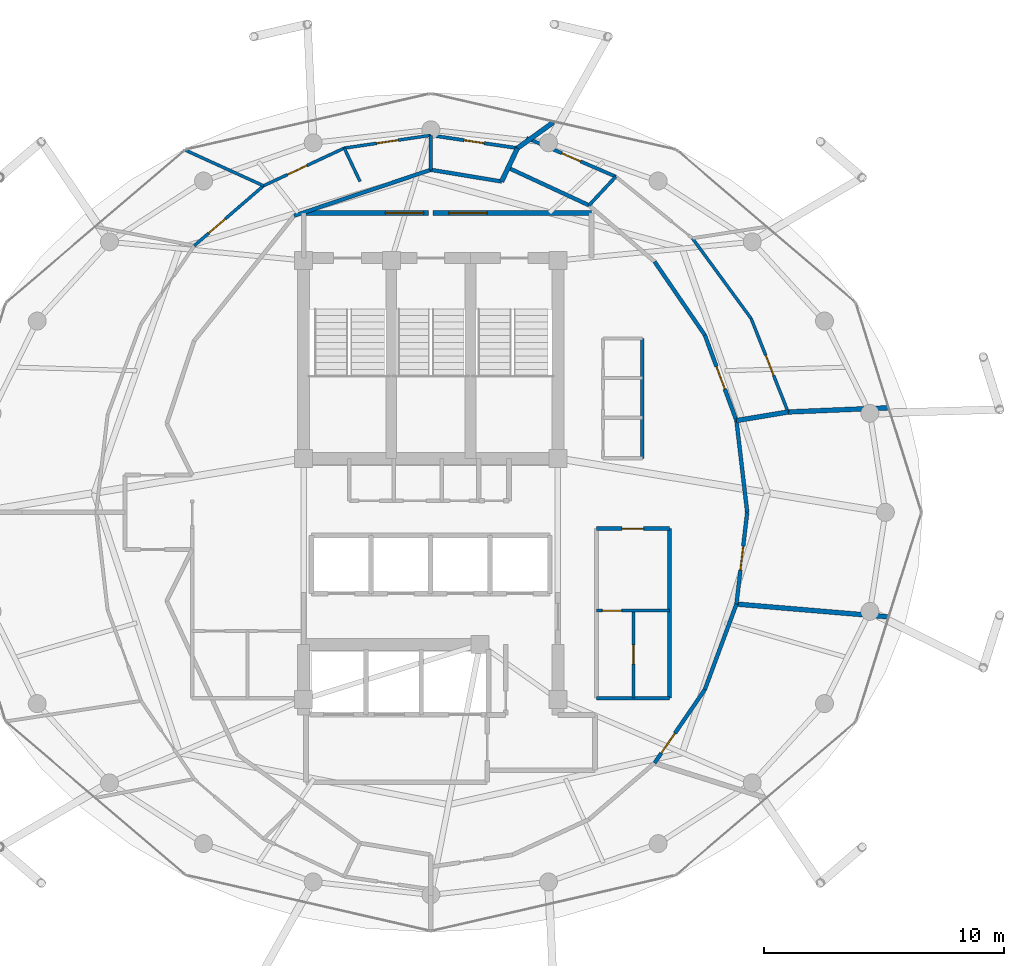
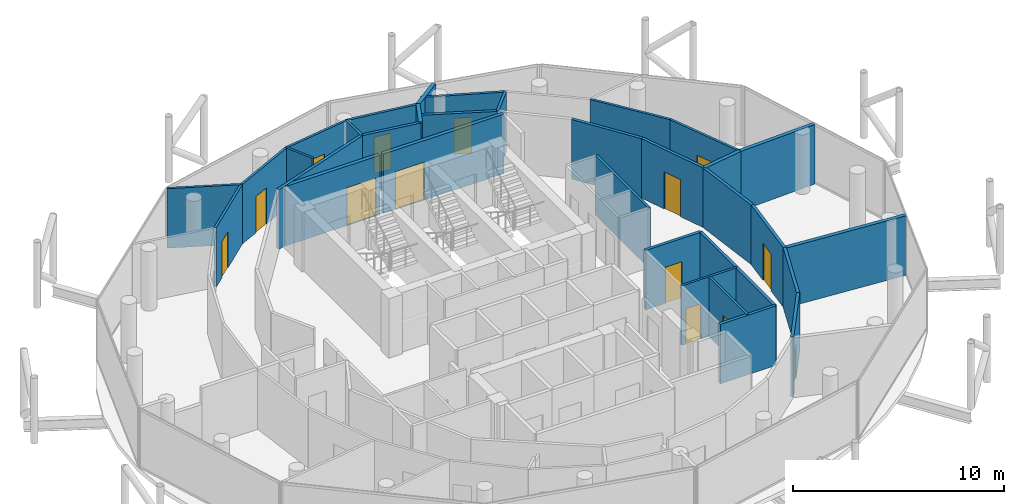
# One storey, part 22 of 24: 33 walls, 14 doors, 14 openings.
"""IFC4 building model written with IfcOpenShell, lengths in metres."""

import ifcopenshell
import ifcopenshell.guid

model = None  # the IFC model being written
_history = None  # IfcOwnerHistory: only IFC2X3 demands one
_inside = {}  # id of a spatial element -> (the spatial element, [elements in it])
_under = {}  # id of a project, library or spatial element -> (it, [spatial elements below it])
_declared = {}  # id of a project -> (the project, [libraries it declares])
_typed = {}  # id of a type object -> (the type object, [elements of that type])
_made_of = {}  # id of a material, layer set ... -> (it, [elements and type objects made of it])


def new_model(schema):
    """Start an empty IFC model of exactly this schema.

    Asked for "IFC4X3", IfcOpenShell would pick the latest addendum, in which some entities
    have other attributes; the version numbers below select the first issue.
    IFC2X3 requires an IfcOwnerHistory on every rooted entity: one is made here for all.
    """
    global model, _history
    if schema == "IFC4X3":
        model = ifcopenshell.file(schema_version=(4, 3, 0, 0))
    else:
        model = ifcopenshell.file(schema=schema)
    _inside.clear()
    _under.clear()
    _declared.clear()
    _typed.clear()
    _made_of.clear()
    _history = None
    if model.schema == "IFC2X3":
        org = make("IfcOrganization", Name="unknown")
        user = make(
            "IfcPersonAndOrganization",
            ThePerson=make("IfcPerson", FamilyName="unknown"),
            TheOrganization=org,
        )
        app = make(
            "IfcApplication",
            ApplicationDeveloper=org,
            Version="unknown",
            ApplicationFullName="unknown",
            ApplicationIdentifier="unknown",
        )
        _history = make(
            "IfcOwnerHistory",
            OwningUser=user,
            OwningApplication=app,
            ChangeAction="ADDED",
            CreationDate=0,
        )
    return model


def make(cls, **values):
    """One entity of the class cls with the attributes given. An attribute that is None is left unset."""
    return model.create_entity(
        cls, **{name: value for name, value in values.items() if value is not None}
    )


def rooted(cls, **values):
    """An entity with a GlobalId (a new one), such as an element, a storey or a relation."""
    return make(cls, GlobalId=ifcopenshell.guid.new(), OwnerHistory=_history, **values)


def si_unit(unit_type, name, prefix=None):
    """IfcSIUnit, for example si_unit("LENGTHUNIT", "METRE", prefix="MILLI")."""
    return make("IfcSIUnit", UnitType=unit_type, Prefix=prefix, Name=name)


def assignment(units):
    """IfcUnitAssignment: the units of a project."""
    return None if units is None else make("IfcUnitAssignment", Units=units)


def point(xyz):
    """IfcCartesianPoint."""
    return None if xyz is None else make("IfcCartesianPoint", Coordinates=xyz)


def direction(xyz):
    """IfcDirection."""
    return None if xyz is None else make("IfcDirection", DirectionRatios=xyz)


def frame(location, z_axis=None, x_axis=None):
    """IfcAxis2Placement3D, a coordinate frame: its origin and axes. An axis left out is left unset."""
    return make(
        "IfcAxis2Placement3D",
        Location=point(location),
        Axis=direction(z_axis),
        RefDirection=direction(x_axis),
    )


def frame_2d(location, x_axis=None):
    """IfcAxis2Placement2D, a coordinate frame in the plane: its origin and x axis."""
    return make(
        "IfcAxis2Placement2D", Location=point(location), RefDirection=direction(x_axis)
    )


def origin():
    """The frame at (0, 0, 0) with its axes left unset."""
    return frame((0.0, 0.0, 0.0))


def place(relative_to, where):
    """IfcLocalPlacement: puts the frame where relative to a parent placement (None: the world)."""
    return make(
        "IfcLocalPlacement", PlacementRelTo=relative_to, RelativePlacement=where
    )


def context(
    kind, dimensions, precision=None, world=None, true_north=None, identifier=None
):
    """IfcGeometricRepresentationContext, for example the 3D "Model" context."""
    return make(
        "IfcGeometricRepresentationContext",
        ContextIdentifier=identifier,
        ContextType=kind,
        CoordinateSpaceDimension=dimensions,
        Precision=precision,
        WorldCoordinateSystem=world,
        TrueNorth=true_north,
    )


def subcontext(parent, identifier, kind, view, scale=None):
    """IfcGeometricRepresentationSubContext, for example "Body" below "Model"."""
    return make(
        "IfcGeometricRepresentationSubContext",
        ContextIdentifier=identifier,
        ContextType=kind,
        ParentContext=parent,
        TargetScale=scale,
        TargetView=view,
    )


def project(units=None, contexts=None):
    """IfcProject with its units and contexts."""
    return rooted(
        "IfcProject",
        Name="project",
        RepresentationContexts=contexts,
        UnitsInContext=assignment(units),
    )


def spatial(cls, under=None, at=None, **own):
    """A site, building, storey or space (cls), placed at a placement, below another one or the project."""
    s = rooted(cls, ObjectPlacement=at, **own)
    if under is not None:
        _under.setdefault(under.id(), (under, []))[1].append(s)
    return s


def profile(cls, at=None, kind="AREA", **sizes):
    """A parametric profile (cls). Its sizes go by their IFC names, for example OverallWidth=200.0."""
    return make(cls, ProfileType=kind, Position=at, **sizes)


def rectangle(**sizes):
    """IfcRectangleProfileDef."""
    return profile("IfcRectangleProfileDef", **sizes)


def extrude(swept, where, along, depth):
    """IfcExtrudedAreaSolid: the profile swept, set in the frame where, extruded along a direction by depth."""
    return make(
        "IfcExtrudedAreaSolid",
        SweptArea=swept,
        Position=where,
        ExtrudedDirection=direction(along),
        Depth=depth,
    )


def shape(context_of_items, identifier, shape_type, items):
    """IfcShapeRepresentation: the items that make up one representation, for example the "Body"."""
    return make(
        "IfcShapeRepresentation",
        ContextOfItems=context_of_items,
        RepresentationIdentifier=identifier,
        RepresentationType=shape_type,
        Items=items,
    )


def material(Name=None, Category=None):
    """IfcMaterial."""
    return make("IfcMaterial", Name=Name, Category=Category)


def layer(
    of_material, thickness, ventilated=None, Name=None, Category=None, Priority=None
):
    """IfcMaterialLayer: one layer of a wall or slab, of a material (None: an air gap)."""
    return make(
        "IfcMaterialLayer",
        Material=of_material,
        LayerThickness=thickness,
        IsVentilated=ventilated,
        Name=Name,
        Category=Category,
        Priority=Priority,
    )


def layer_set(layers, Name=None):
    """IfcMaterialLayerSet."""
    return make("IfcMaterialLayerSet", MaterialLayers=layers, LayerSetName=Name)


def made_of(thing, what):
    """Note that an element or type object is made of a material, layer set ...; save() writes the relation."""
    if what is not None:
        _made_of.setdefault(what.id(), (what, []))[1].append(thing)
    return thing


def type_object(cls, material=None, **own):
    """A type object (cls), such as IfcWallType, which elements share."""
    return made_of(rooted(cls, **own), material)


def element(
    cls,
    number,
    at=None,
    inside=None,
    cuts=None,
    type_object=None,
    material=None,
    context=None,
    identifier="Body",
    shape_type=None,
    held_by="IfcProductDefinitionShape",
    body=None,
    shapes=None,
    **own,
):
    """One element of the class cls, such as IfcWall. Its Tag is "e" and its number.

    at: its placement. inside: the storey or other place that contains it. cuts: it is an
    opening in that element (IfcRelVoidsElement). A single representation is given by context,
    identifier, shape_type and body (its items); several are given by shapes. held_by: the class
    of the entity that holds the representations. save() writes the other relations.
    """
    e = rooted(cls, Tag="e%d" % number, ObjectPlacement=at, **own)
    if body is not None:
        shapes = [shape(context, identifier, shape_type, body)]
    if shapes is not None:
        e.Representation = make(held_by, Representations=shapes)
    if inside is not None:
        _inside.setdefault(inside.id(), (inside, []))[1].append(e)
    if cuts is not None:
        rooted(
            "IfcRelVoidsElement", RelatingBuildingElement=cuts, RelatedOpeningElement=e
        )
    if type_object is not None:
        _typed.setdefault(type_object.id(), (type_object, []))[1].append(e)
    return made_of(e, material)


def fill(opening, filler):
    """IfcRelFillsElement: the door or window that sits in an opening."""
    return rooted(
        "IfcRelFillsElement",
        RelatingOpeningElement=opening,
        RelatedBuildingElement=filler,
    )


def aggregate(whole, parts):
    """IfcRelAggregates: a whole, such as a stair, and the parts it consists of."""
    return rooted("IfcRelAggregates", RelatingObject=whole, RelatedObjects=parts)


def save(model, path):
    """Write the relations noted so far, then the file.

    IfcRelAggregates (storeys below a building ...), IfcRelContainedInSpatialStructure (elements
    in a storey), IfcRelDefinesByType, IfcRelAssociatesMaterial and IfcRelDeclares: one each for
    every whole, place, type object, material and project.
    """
    for whole, parts in _under.values():
        aggregate(whole, parts)
    for where, things in _inside.values():
        rooted(
            "IfcRelContainedInSpatialStructure",
            RelatedElements=things,
            RelatingStructure=where,
        )
    for kind, things in _typed.values():
        rooted("IfcRelDefinesByType", RelatedObjects=things, RelatingType=kind)
    for what, things in _made_of.values():
        rooted("IfcRelAssociatesMaterial", RelatedObjects=things, RelatingMaterial=what)
    for by, libraries in _declared.values():
        rooted("IfcRelDeclares", RelatingContext=by, RelatedDefinitions=libraries)
    model.write(path)


model = new_model("IFC4")

# Units and contexts
model_context = context("Model", 3, precision=1e-05, world=origin(), true_north=direction((0.0, 1.0)))
body_context = subcontext(model_context, "Body", "Model", "MODEL_VIEW")
ifc_project = project(units=[si_unit("LENGTHUNIT", "METRE"), si_unit("AREAUNIT", "SQUARE_METRE"), si_unit("VOLUMEUNIT", "CUBIC_METRE"), si_unit("PLANEANGLEUNIT", "RADIAN"), si_unit("MASSUNIT", "GRAM", prefix="KILO")], contexts=[model_context])

# Site, building, storey
site_placement = place(None, origin())
site = spatial("IfcSite", under=ifc_project, at=site_placement, CompositionType="ELEMENT")
building_placement = place(site_placement, origin())
building = spatial("IfcBuilding", under=site, at=building_placement, Name="Nuhasar Tower", CompositionType="ELEMENT")
storey_placement = place(building_placement, frame((0.0, 0.0, 297.39990234375)))
storey = spatial("IfcBuildingStorey", under=building, at=storey_placement, Name="L74", CompositionType="ELEMENT", Elevation=297.39990234375)

# Walls
ifc_material_1 = material(Name="Gypsum Board", Category="gypsum")
ifc_layer_1 = layer(ifc_material_1, 0.159912109375)
ifc_layer_set_1 = layer_set([ifc_layer_1], Name="Gypsum Board")
wall_type_1 = type_object("IfcWallType", Name="WL-CORR-160", PredefinedType="PARTITIONING", material=ifc_layer_set_1)
wall_1_placement = place(storey_placement, frame((45.89990234375, 19.050048828125, 0.0), z_axis=(0.0, 0.0, 1.0), x_axis=(1.0, 0.0, 0.0)))
element("IfcWall", 1, at=wall_1_placement, inside=storey, type_object=wall_type_1, Name="L74 Interior Partition RECL-B2-S", PredefinedType="PARTITIONING", context=body_context, shape_type="SweptSolid", body=[
    extrude(rectangle(XDim=3.050048828125, YDim=0.159912109375, at=frame_2d((1.52490234375, 0.0))), origin(), (0.0, 0.0, 1.0), 3.4501953125),
])
wall_2_placement = place(storey_placement, frame((48.949951171875, 19.050048828125, 0.0), z_axis=(0.0, 0.0, 1.0), x_axis=(0.0, 1.0, 0.0)))
element("IfcWall", 2, at=wall_2_placement, inside=storey, type_object=wall_type_1, Name="L74 Interior Partition RECL-B2-E", PredefinedType="PARTITIONING", context=body_context, shape_type="SweptSolid", body=[
    extrude(rectangle(XDim=7.070068359375, YDim=0.159912109375, at=frame_2d((3.53515625, 0.0))), origin(), (0.0, 0.0, 1.0), 3.4501953125),
])

# Wall, opening, door
wall_3_placement = place(storey_placement, frame((48.949951171875, 26.1201171875, 0.0), z_axis=(0.0, 0.0, 1.0), x_axis=(-1.0, 0.0, 0.0)))
wall_3 = element("IfcWall", 3, at=wall_3_placement, inside=storey, type_object=wall_type_1, Name="L74 Interior Partition RECL-B2-N", PredefinedType="PARTITIONING", context=body_context, shape_type="SweptSolid", body=[
    extrude(rectangle(XDim=3.050048828125, YDim=0.159912109375, at=frame_2d((1.52490234375, 0.0))), origin(), (0.0, 0.0, 1.0), 3.4501953125),
])
opening_1_placement = place(wall_3_placement, frame((1.074951171875, 0.0, 0.0)))
opening_1 = element("IfcOpeningElement", 4, at=opening_1_placement, cuts=wall_3, Name="Opening DR-01", PredefinedType="OPENING", context=body_context, shape_type="SweptSolid", body=[
    extrude(rectangle(XDim=0.89990234375, YDim=2.10009765625, at=frame_2d((0.449951171875, 1.050048828125))), frame((0.0, 0.08984375, 0.0), z_axis=(0.0, -1.0, 0.0), x_axis=(1.0, 0.0, 0.0)), (0.0, 0.0, 1.0), 0.179931640625),
])
ifc_material_2 = material(Name="Timber Oak", Category="wood")
door_type_1 = type_object("IfcDoorType", Name="DR-ROOM-900", OperationType="NOTDEFINED", PredefinedType="DOOR", material=ifc_material_2)
door_1_placement = place(opening_1_placement, origin())
door_1 = element("IfcDoor", 5, at=door_1_placement, inside=storey, type_object=door_type_1, Name="L74 Telemetry Closet Door", OperationType="SINGLE_SWING_LEFT", OverallHeight=2.10009765625, OverallWidth=0.89990234375, PredefinedType="DOOR", context=body_context, shape_type="SweptSolid", body=[
    extrude(rectangle(XDim=0.89990234375, YDim=2.10009765625, at=frame_2d((0.449951171875, 1.050048828125))), frame((0.0, 0.02490234375, 0.0), z_axis=(0.0, -1.0, 0.0), x_axis=(1.0, 0.0, 0.0)), (0.0, 0.0, 1.0), 0.050048828125),
])
fill(opening_1, door_1)

wall_4_placement = place(storey_placement, frame((50.423095703125, 19.409912109375, 0.0), z_axis=(0.0, 0.0, 1.0), x_axis=(-0.565044823329, -0.825060208487, 0.0)))
wall_4 = element("IfcWall", 6, at=wall_4_placement, inside=storey, type_object=wall_type_1, Name="L74 Interior Partition CORR-42", PredefinedType="PARTITIONING", context=body_context, shape_type="SweptSolid", body=[
    extrude(rectangle(XDim=3.709716796875, YDim=0.159912109375, at=frame_2d((1.85498046875, 0.0))), origin(), (0.0, 0.0, 1.0), 3.4501953125),
])
opening_2_placement = place(wall_4_placement, frame((2.208984375, 0.0, 0.0)))
opening_2 = element("IfcOpeningElement", 7, at=opening_2_placement, cuts=wall_4, Name="Opening DU-02", PredefinedType="OPENING", context=body_context, shape_type="SweptSolid", body=[
    extrude(rectangle(XDim=1.0, YDim=2.14990234375, at=frame_2d((0.5, 1.074951171875))), frame((0.0, 0.08984375, 0.0), z_axis=(0.0, -1.0, 0.0), x_axis=(1.0, 0.0, 0.0)), (0.0, 0.0, 1.0), 0.179931640625),
])
door_type_2 = type_object("IfcDoorType", Name="DR-FLAT-FD60-1000", OperationType="NOTDEFINED", PredefinedType="DOOR", material=ifc_material_2)
door_2_placement = place(opening_2_placement, origin())
door_2 = element("IfcDoor", 8, at=door_2_placement, inside=storey, type_object=door_type_2, Name="L74 Hydrotherapy Treatment Clinic Entrance Door", OperationType="SINGLE_SWING_RIGHT", OverallHeight=2.14990234375, OverallWidth=1.0, PredefinedType="DOOR", context=body_context, shape_type="SweptSolid", body=[
    extrude(rectangle(XDim=1.0, YDim=2.14990234375, at=frame_2d((0.5, 1.074951171875))), frame((0.0, 0.02490234375, 0.0), z_axis=(0.0, -1.0, 0.0), x_axis=(1.0, 0.0, 0.0)), (0.0, 0.0, 1.0), 0.050048828125),
])
fill(opening_2, door_2)

# Wall
wall_5_placement = place(storey_placement, frame((50.423095703125, 19.409912109375, 0.0), z_axis=(0.0, 0.0, 1.0), x_axis=(0.346720166633, 0.937968616773, 0.0)))
element("IfcWall", 9, at=wall_5_placement, inside=storey, type_object=wall_type_1, Name="L74 Interior Partition CORR-44", PredefinedType="PARTITIONING", context=body_context, shape_type="SweptSolid", body=[
    extrude(rectangle(XDim=3.801025390625, YDim=0.159912109375, at=frame_2d((1.900390625, 0.0))), origin(), (0.0, 0.0, 1.0), 3.4501953125),
])

# Wall, opening, door
wall_6_placement = place(storey_placement, frame((52.18994140625, 26.800048828125, 0.0), z_axis=(0.0, 0.0, 1.0), x_axis=(-0.116580098154, -0.993181292974, 0.0)))
wall_6 = element("IfcWall", 10, at=wall_6_placement, inside=storey, type_object=wall_type_1, Name="L74 Interior Partition CORR-46", PredefinedType="PARTITIONING", context=body_context, shape_type="SweptSolid", body=[
    extrude(rectangle(XDim=3.851318359375, YDim=0.159912109375, at=frame_2d((1.92578125, 0.0))), origin(), (0.0, 0.0, 1.0), 3.4501953125),
])
opening_3_placement = place(wall_6_placement, frame((1.426025390625, 0.0, 0.0)))
opening_3 = element("IfcOpeningElement", 11, at=opening_3_placement, cuts=wall_6, Name="Opening DU-02", PredefinedType="OPENING", context=body_context, shape_type="SweptSolid", body=[
    extrude(rectangle(XDim=1.0, YDim=2.14990234375, at=frame_2d((0.5, 1.074951171875))), frame((0.0, 0.08984375, 0.0), z_axis=(0.0, -1.0, 0.0), x_axis=(1.0, 0.0, 0.0)), (0.0, 0.0, 1.0), 0.179931640625),
])
door_3_placement = place(opening_3_placement, origin())
door_3 = element("IfcDoor", 12, at=door_3_placement, inside=storey, type_object=door_type_2, Name="L74 Security & Butler Staff Office Entrance Door", OperationType="SINGLE_SWING_LEFT", OverallHeight=2.14990234375, OverallWidth=1.0, PredefinedType="DOOR", context=body_context, shape_type="SweptSolid", body=[
    extrude(rectangle(XDim=1.0, YDim=2.14990234375, at=frame_2d((0.5, 1.074951171875))), frame((0.0, 0.02490234375, 0.0), z_axis=(0.0, -1.0, 0.0), x_axis=(1.0, 0.0, 0.0)), (0.0, 0.0, 1.0), 0.050048828125),
])
fill(opening_3, door_3)

# Wall
wall_7_placement = place(storey_placement, frame((52.18994140625, 26.800048828125, 0.0), z_axis=(0.0, 0.0, 1.0), x_axis=(-0.116580098154, 0.993181292974, 0.0)))
element("IfcWall", 13, at=wall_7_placement, inside=storey, type_object=wall_type_1, Name="L74 Interior Partition CORR-00", PredefinedType="PARTITIONING", context=body_context, shape_type="SweptSolid", body=[
    extrude(rectangle(XDim=3.851318359375, YDim=0.159912109375, at=frame_2d((1.92578125, 0.0))), origin(), (0.0, 0.0, 1.0), 3.4501953125),
])

# Wall, opening, door
wall_8_placement = place(storey_placement, frame((50.423095703125, 34.18994140625, 0.0), z_axis=(0.0, 0.0, 1.0), x_axis=(0.346741056612, -0.937960894526, 0.0)))
wall_8 = element("IfcWall", 14, at=wall_8_placement, inside=storey, type_object=wall_type_1, Name="L74 Interior Partition CORR-02", PredefinedType="PARTITIONING", context=body_context, shape_type="SweptSolid", body=[
    extrude(rectangle(XDim=3.80078125, YDim=0.159912109375, at=frame_2d((1.900390625, 0.0))), origin(), (0.0, 0.0, 1.0), 3.4501953125),
])
opening_4_placement = place(wall_8_placement, frame((1.39990234375, 0.0, 0.0)))
opening_4 = element("IfcOpeningElement", 15, at=opening_4_placement, cuts=wall_8, Name="Opening DU-02", PredefinedType="OPENING", context=body_context, shape_type="SweptSolid", body=[
    extrude(rectangle(XDim=1.0, YDim=2.14990234375, at=frame_2d((0.5, 1.074951171875))), frame((0.0, 0.08984375, 0.0), z_axis=(0.0, -1.0, 0.0), x_axis=(1.0, 0.0, 0.0)), (0.0, 0.0, 1.0), 0.179931640625),
])
door_4_placement = place(opening_4_placement, origin())
door_4 = element("IfcDoor", 16, at=door_4_placement, inside=storey, type_object=door_type_2, Name="L74 Royal Summit Sky Villa Entrance Door", OperationType="SINGLE_SWING_LEFT", OverallHeight=2.14990234375, OverallWidth=1.0, PredefinedType="DOOR", context=body_context, shape_type="SweptSolid", body=[
    extrude(rectangle(XDim=1.0, YDim=2.14990234375, at=frame_2d((0.5, 1.074951171875))), frame((0.0, 0.02490234375, 0.0), z_axis=(0.0, -1.0, 0.0), x_axis=(1.0, 0.0, 0.0)), (0.0, 0.0, 1.0), 0.050048828125),
])
fill(opening_4, door_4)

# Walls
wall_9_placement = place(storey_placement, frame((50.423095703125, 34.18994140625, 0.0), z_axis=(0.0, 0.0, 1.0), x_axis=(-0.565014144236, 0.825081218313, 0.0)))
element("IfcWall", 17, at=wall_9_placement, inside=storey, type_object=wall_type_1, Name="L74 Interior Partition CORR-04", PredefinedType="PARTITIONING", context=body_context, shape_type="SweptSolid", body=[
    extrude(rectangle(XDim=3.7099609375, YDim=0.159912109375, at=frame_2d((1.85498046875, 0.0))), origin(), (0.0, 0.0, 1.0), 3.4501953125),
])
wall_10_placement = place(storey_placement, frame((45.594970703125, 39.60009765625, 0.0), z_axis=(0.0, 0.0, 1.0), x_axis=(-0.907123576348, 0.420864369166, 0.0)))
element("IfcWall", 18, at=wall_10_placement, inside=storey, type_object=wall_type_1, Name="L74 Interior Partition CORR-08", PredefinedType="PARTITIONING", context=body_context, shape_type="SweptSolid", body=[
    extrude(rectangle(XDim=3.718505859375, YDim=0.159912109375, at=frame_2d((1.859375, 0.0))), origin(), (0.0, 0.0, 1.0), 3.4501953125),
])
wall_11_placement = place(storey_placement, frame((41.950927734375, 40.593017578125, 0.0), z_axis=(0.0, 0.0, 1.0), x_axis=(-0.986650832406, 0.162850038111, 0.0)))
element("IfcWall", 19, at=wall_11_placement, inside=storey, type_object=wall_type_1, Name="L74 Interior Partition UWEST-CORE-N1-10", PredefinedType="PARTITIONING", context=body_context, shape_type="SweptSolid", body=[
    extrude(rectangle(XDim=2.990966796875, YDim=0.159912109375, at=frame_2d((1.49560546875, 0.0))), origin(), (0.0, 0.0, 1.0), 3.4501953125),
])
wall_12_placement = place(storey_placement, frame((39.0, 41.080078125, 0.0), z_axis=(0.0, 0.0, 1.0), x_axis=(-0.948027514656, -0.318188358455, 0.0)))
element("IfcWall", 20, at=wall_12_placement, inside=storey, type_object=wall_type_1, Name="L74 Interior Partition UWEST-CORE-N2-12", PredefinedType="PARTITIONING", context=body_context, shape_type="SweptSolid", body=[
    extrude(rectangle(XDim=6.012451171875, YDim=0.159912109375, at=frame_2d((3.00634765625, 0.0))), origin(), (0.0, 0.0, 1.0), 3.4501953125),
])

# Wall, opening, door
ifc_material_3 = material(Name="Concrete C45/55", Category="concrete")
ifc_layer_2 = layer(ifc_material_3, 0.199951171875)
ifc_layer_set_2 = layer_set([ifc_layer_2], Name="Concrete C45/55")
wall_type_2 = type_object("IfcWallType", Name="WL-LOBBY-200", PredefinedType="SOLIDWALL", material=ifc_layer_set_2)
wall_13_placement = place(storey_placement, frame((38.89990234375, 39.280029296875, 0.0), z_axis=(0.0, 0.0, 1.0), x_axis=(-1.0, 0.0, 0.0)))
wall_13 = element("IfcWall", 21, at=wall_13_placement, inside=storey, type_object=wall_type_2, Name="L74 Interior Partition NSL-N1", PredefinedType="SOLIDWALL", context=body_context, shape_type="SweptSolid", body=[
    extrude(rectangle(XDim=5.199951171875, YDim=0.199951171875, at=frame_2d((2.60009765625, 0.0))), origin(), (0.0, 0.0, 1.0), 3.4501953125),
])
opening_5_placement = place(wall_13_placement, frame((0.199951171875, 0.0, 0.0)))
opening_5 = element("IfcOpeningElement", 22, at=opening_5_placement, cuts=wall_13, Name="Opening DC-01", PredefinedType="OPENING", context=body_context, shape_type="SweptSolid", body=[
    extrude(rectangle(XDim=1.60009765625, YDim=2.199951171875, at=frame_2d((0.800048828125, 1.10009765625))), frame((0.0, 0.10986328125, 0.0), z_axis=(0.0, -1.0, 0.0), x_axis=(1.0, 0.0, 0.0)), (0.0, 0.0, 1.0), 0.219970703125),
])
ifc_material_4 = material(Name="Steel S355", Category="steel")
door_type_3 = type_object("IfcDoorType", Name="DR-CORR-FD60-1600", OperationType="DOUBLE_DOOR_SINGLE_SWING", PredefinedType="DOOR", material=ifc_material_4)
door_5_placement = place(opening_5_placement, origin())
door_5 = element("IfcDoor", 23, at=door_5_placement, inside=storey, type_object=door_type_3, Name="L74 North Stair Lobby West Door", OperationType="DOUBLE_DOOR_SINGLE_SWING", OverallHeight=2.199951171875, OverallWidth=1.60009765625, PredefinedType="DOOR", context=body_context, shape_type="SweptSolid", body=[
    extrude(rectangle(XDim=1.60009765625, YDim=2.199951171875, at=frame_2d((0.800048828125, 1.10009765625))), frame((0.0, 0.02490234375, 0.0), z_axis=(0.0, -1.0, 0.0), x_axis=(1.0, 0.0, 0.0)), (0.0, 0.0, 1.0), 0.050048828125),
])
fill(opening_5, door_5)

wall_14_placement = place(storey_placement, frame((45.699951171875, 39.280029296875, 0.0), z_axis=(0.0, 0.0, 1.0), x_axis=(-1.0, 0.0, 0.0)))
wall_14 = element("IfcWall", 24, at=wall_14_placement, inside=storey, type_object=wall_type_2, Name="L74 Interior Partition NSL-N2", PredefinedType="SOLIDWALL", context=body_context, shape_type="SweptSolid", body=[
    extrude(rectangle(XDim=6.599853515625, YDim=0.199951171875, at=frame_2d((3.2998046875, 0.0))), origin(), (0.0, 0.0, 1.0), 3.4501953125),
])
opening_6_placement = place(wall_14_placement, frame((4.35009765625, 0.0, 0.0)))
opening_6 = element("IfcOpeningElement", 25, at=opening_6_placement, cuts=wall_14, Name="Opening DC-01", PredefinedType="OPENING", context=body_context, shape_type="SweptSolid", body=[
    extrude(rectangle(XDim=1.60009765625, YDim=2.199951171875, at=frame_2d((0.800048828125, 1.10009765625))), frame((0.0, 0.10986328125, 0.0), z_axis=(0.0, -1.0, 0.0), x_axis=(1.0, 0.0, 0.0)), (0.0, 0.0, 1.0), 0.219970703125),
])
door_6_placement = place(opening_6_placement, origin())
door_6 = element("IfcDoor", 26, at=door_6_placement, inside=storey, type_object=door_type_3, Name="L74 North Stair Lobby East Door", OperationType="DOUBLE_DOOR_SINGLE_SWING", OverallHeight=2.199951171875, OverallWidth=1.60009765625, PredefinedType="DOOR", context=body_context, shape_type="SweptSolid", body=[
    extrude(rectangle(XDim=1.60009765625, YDim=2.199951171875, at=frame_2d((0.800048828125, 1.10009765625))), frame((0.0, 0.02490234375, 0.0), z_axis=(0.0, -1.0, 0.0), x_axis=(1.0, 0.0, 0.0)), (0.0, 0.0, 1.0), 0.050048828125),
])
fill(opening_6, door_6)

ifc_layer_3 = layer(ifc_material_1, 0.125)
ifc_layer_set_3 = layer_set([ifc_layer_3], Name="Gypsum Board")
wall_type_3 = type_object("IfcWallType", Name="WL-PART-125", PredefinedType="PARTITIONING", material=ifc_layer_set_3)
wall_15_placement = place(storey_placement, frame((47.449951171875, 22.699951171875, 0.0), z_axis=(0.0, 0.0, 1.0), x_axis=(0.0, -1.0, 0.0)))
wall_15 = element("IfcWall", 27, at=wall_15_placement, inside=storey, type_object=wall_type_3, Name="L74 Interior Partition RECL-B2-V", PredefinedType="PARTITIONING", context=body_context, shape_type="SweptSolid", body=[
    extrude(rectangle(XDim=3.64990234375, YDim=0.125, at=frame_2d((1.824951171875, 0.0))), origin(), (0.0, 0.0, 1.0), 3.4501953125),
])
opening_7_placement = place(wall_15_placement, frame((1.425048828125, 0.0, 0.0)))
opening_7 = element("IfcOpeningElement", 28, at=opening_7_placement, cuts=wall_15, Name="Opening DM-01", PredefinedType="OPENING", context=body_context, shape_type="SweptSolid", body=[
    extrude(rectangle(XDim=0.800048828125, YDim=2.050048828125, at=frame_2d((0.39990234375, 1.02490234375))), frame((0.0, 0.072509765625, 0.0), z_axis=(0.0, -1.0, 0.0), x_axis=(1.0, 0.0, 0.0)), (0.0, 0.0, 1.0), 0.14501953125),
])
door_type_4 = type_object("IfcDoorType", Name="DR-RISER-FD60-800", OperationType="NOTDEFINED", PredefinedType="DOOR", material=ifc_material_4)
door_7_placement = place(opening_7_placement, origin())
door_7 = element("IfcDoor", 29, at=door_7_placement, inside=storey, type_object=door_type_4, Name="L74 Archive Closet Door", OperationType="SINGLE_SWING_LEFT", OverallHeight=2.050048828125, OverallWidth=0.800048828125, PredefinedType="DOOR", context=body_context, shape_type="SweptSolid", body=[
    extrude(rectangle(XDim=0.800048828125, YDim=2.050048828125, at=frame_2d((0.39990234375, 1.02490234375))), frame((0.0, 0.02490234375, 0.0), z_axis=(0.0, -1.0, 0.0), x_axis=(1.0, 0.0, 0.0)), (0.0, 0.0, 1.0), 0.050048828125),
])
fill(opening_7, door_7)

wall_16_placement = place(storey_placement, frame((48.949951171875, 22.699951171875, 0.0), z_axis=(0.0, 0.0, 1.0), x_axis=(-1.0, 0.0, 0.0)))
wall_16 = element("IfcWall", 30, at=wall_16_placement, inside=storey, type_object=wall_type_3, Name="L74 Interior Partition RECL-B2-M", PredefinedType="PARTITIONING", context=body_context, shape_type="SweptSolid", body=[
    extrude(rectangle(XDim=3.050048828125, YDim=0.125, at=frame_2d((1.52490234375, 0.0))), origin(), (0.0, 0.0, 1.0), 3.4501953125),
])
opening_8_placement = place(wall_16_placement, frame((2.0, 0.0, 0.0)))
opening_8 = element("IfcOpeningElement", 31, at=opening_8_placement, cuts=wall_16, Name="Opening DM-01", PredefinedType="OPENING", context=body_context, shape_type="SweptSolid", body=[
    extrude(rectangle(XDim=0.800048828125, YDim=2.050048828125, at=frame_2d((0.39990234375, 1.02490234375))), frame((0.0, 0.072509765625, 0.0), z_axis=(0.0, -1.0, 0.0), x_axis=(1.0, 0.0, 0.0)), (0.0, 0.0, 1.0), 0.14501953125),
])
door_8_placement = place(opening_8_placement, origin())
door_8 = element("IfcDoor", 32, at=door_8_placement, inside=storey, type_object=door_type_4, Name="L74 Trunk Store Door", OperationType="SINGLE_SWING_RIGHT", OverallHeight=2.050048828125, OverallWidth=0.800048828125, PredefinedType="DOOR", context=body_context, shape_type="SweptSolid", body=[
    extrude(rectangle(XDim=0.800048828125, YDim=2.050048828125, at=frame_2d((0.39990234375, 1.02490234375))), frame((0.0, 0.02490234375, 0.0), z_axis=(0.0, -1.0, 0.0), x_axis=(1.0, 0.0, 0.0)), (0.0, 0.0, 1.0), 0.050048828125),
])
fill(opening_8, door_8)

wall_17_placement = place(storey_placement, frame((52.35400390625, 34.8798828125, 0.0), z_axis=(0.0, 0.0, 1.0), x_axis=(0.367731535022, -0.929931996519, 0.0)))
wall_17 = element("IfcWall", 33, at=wall_17_placement, inside=storey, type_object=wall_type_3, Name="L74 Interior Partition UMID-04-A-02", PredefinedType="PARTITIONING", context=body_context, shape_type="SweptSolid", body=[
    extrude(rectangle(XDim=4.190673828125, YDim=0.125, at=frame_2d((2.09521484375, 0.0))), origin(), (0.0, 0.0, 1.0), 3.4501953125),
])
opening_9_placement = place(wall_17_placement, frame((1.64501953125, 0.0, 0.0)))
opening_9 = element("IfcOpeningElement", 34, at=opening_9_placement, cuts=wall_17, Name="Opening DR-01", PredefinedType="OPENING", context=body_context, shape_type="SweptSolid", body=[
    extrude(rectangle(XDim=0.89990234375, YDim=2.10009765625, at=frame_2d((0.449951171875, 1.050048828125))), frame((0.0, 0.072509765625, 0.0), z_axis=(0.0, -1.0, 0.0), x_axis=(1.0, 0.0, 0.0)), (0.0, 0.0, 1.0), 0.14501953125),
])
door_9_placement = place(opening_9_placement, origin())
door_9 = element("IfcDoor", 35, at=door_9_placement, inside=storey, type_object=door_type_1, Name="L74 U04 Living Door", OperationType="SINGLE_SWING_RIGHT", OverallHeight=2.10009765625, OverallWidth=0.89990234375, PredefinedType="DOOR", context=body_context, shape_type="SweptSolid", body=[
    extrude(rectangle(XDim=0.89990234375, YDim=2.10009765625, at=frame_2d((0.449951171875, 1.050048828125))), frame((0.0, 0.02490234375, 0.0), z_axis=(0.0, -1.0, 0.0), x_axis=(1.0, 0.0, 0.0)), (0.0, 0.0, 1.0), 0.050048828125),
])
fill(opening_9, door_9)

# Walls
wall_18_placement = place(storey_placement, frame((52.35400390625, 34.8798828125, 0.0), z_axis=(0.0, 0.0, 1.0), x_axis=(-0.590636208364, 0.806937958811, 0.0)))
element("IfcWall", 36, at=wall_18_placement, inside=storey, type_object=wall_type_3, Name="L74 Interior Partition UMID-04-A-04", PredefinedType="PARTITIONING", context=body_context, shape_type="SweptSolid", body=[
    extrude(rectangle(XDim=4.14794921875, YDim=0.125, at=frame_2d((2.073974609375, 0.0))), origin(), (0.0, 0.0, 1.0), 3.4501953125),
])
wall_19_placement = place(storey_placement, frame((36.049072265625, 40.593017578125, 0.0), z_axis=(0.0, 0.0, 1.0), x_axis=(-0.428788325004, 0.903404987998, 0.0)))
element("IfcWall", 37, at=wall_19_placement, inside=storey, type_object=wall_type_3, Name="L74 Interior Partition USI-1-KD", PredefinedType="PARTITIONING", context=body_context, shape_type="SweptSolid", body=[
    extrude(rectangle(XDim=1.53955078125, YDim=0.125, at=frame_2d((0.769775390625, 0.0))), origin(), (0.0, 0.0, 1.0), 3.4501953125),
])

# Wall, opening, door
wall_20_placement = place(storey_placement, frame((35.388916015625, 41.98388671875, 0.0), z_axis=(0.0, 0.0, 1.0), x_axis=(0.989157453542, 0.146858884996, 0.0)))
wall_20 = element("IfcWall", 38, at=wall_20_placement, inside=storey, type_object=wall_type_3, Name="L74 Interior Partition USM-1-K-12", PredefinedType="PARTITIONING", context=body_context, shape_type="SweptSolid", body=[
    extrude(rectangle(XDim=3.650634765625, YDim=0.125, at=frame_2d((1.8251953125, 0.0))), origin(), (0.0, 0.0, 1.0), 3.4501953125),
])
opening_10_placement = place(wall_20_placement, frame((1.375, 0.0, 0.0)))
opening_10 = element("IfcOpeningElement", 39, at=opening_10_placement, cuts=wall_20, Name="Opening DR-01", PredefinedType="OPENING", context=body_context, shape_type="SweptSolid", body=[
    extrude(rectangle(XDim=0.89990234375, YDim=2.10009765625, at=frame_2d((0.449951171875, 1.050048828125))), frame((0.0, 0.072509765625, 0.0), z_axis=(0.0, -1.0, 0.0), x_axis=(1.0, 0.0, 0.0)), (0.0, 0.0, 1.0), 0.14501953125),
])
door_10_placement = place(opening_10_placement, origin())
door_10 = element("IfcDoor", 40, at=door_10_placement, inside=storey, type_object=door_type_1, Name="L74 North-West Sky Home Kitchen Door", OperationType="SINGLE_SWING_LEFT", OverallHeight=2.10009765625, OverallWidth=0.89990234375, PredefinedType="DOOR", context=body_context, shape_type="SweptSolid", body=[
    extrude(rectangle(XDim=0.89990234375, YDim=2.10009765625, at=frame_2d((0.449951171875, 1.050048828125))), frame((0.0, 0.02490234375, 0.0), z_axis=(0.0, -1.0, 0.0), x_axis=(1.0, 0.0, 0.0)), (0.0, 0.0, 1.0), 0.050048828125),
])
fill(opening_10, door_10)

wall_21_placement = place(storey_placement, frame((32.02490234375, 40.4140625, 0.0), z_axis=(0.0, 0.0, 1.0), x_axis=(0.906188180382, 0.422874664334, 0.0)))
wall_21 = element("IfcWall", 41, at=wall_21_placement, inside=storey, type_object=wall_type_3, Name="L74 Interior Partition USM-1-D-14", PredefinedType="PARTITIONING", context=body_context, shape_type="SweptSolid", body=[
    extrude(rectangle(XDim=3.712158203125, YDim=0.125, at=frame_2d((1.85595703125, 0.0))), origin(), (0.0, 0.0, 1.0), 3.4501953125),
])
opening_11_placement = place(wall_21_placement, frame((1.10400390625, 0.0, 0.0)))
opening_11 = element("IfcOpeningElement", 42, at=opening_11_placement, cuts=wall_21, Name="Opening DR-01", PredefinedType="OPENING", context=body_context, shape_type="SweptSolid", body=[
    extrude(rectangle(XDim=0.89990234375, YDim=2.10009765625, at=frame_2d((0.449951171875, 1.050048828125))), frame((0.0, 0.072509765625, 0.0), z_axis=(0.0, -1.0, 0.0), x_axis=(1.0, 0.0, 0.0)), (0.0, 0.0, 1.0), 0.14501953125),
])
door_11_placement = place(opening_11_placement, origin())
door_11 = element("IfcDoor", 43, at=door_11_placement, inside=storey, type_object=door_type_1, Name="L74 North-West Sky Home Master Bedroom Door", OperationType="SINGLE_SWING_LEFT", OverallHeight=2.10009765625, OverallWidth=0.89990234375, PredefinedType="DOOR", context=body_context, shape_type="SweptSolid", body=[
    extrude(rectangle(XDim=0.89990234375, YDim=2.10009765625, at=frame_2d((0.449951171875, 1.050048828125))), frame((0.0, 0.02490234375, 0.0), z_axis=(0.0, -1.0, 0.0), x_axis=(1.0, 0.0, 0.0)), (0.0, 0.0, 1.0), 0.050048828125),
])
fill(opening_11, door_11)

wall_22_placement = place(storey_placement, frame((29.135986328125, 37.916015625, 0.0), z_axis=(0.0, 0.0, 1.0), x_axis=(0.756424716633, 0.654080765706, 0.0)))
wall_22 = element("IfcWall", 44, at=wall_22_placement, inside=storey, type_object=wall_type_3, Name="L74 Interior Partition USM-1-D-16", PredefinedType="PARTITIONING", context=body_context, shape_type="SweptSolid", body=[
    extrude(rectangle(XDim=3.819091796875, YDim=0.125, at=frame_2d((1.90966796875, 0.0))), origin(), (0.0, 0.0, 1.0), 3.4501953125),
])
opening_12_placement = place(wall_22_placement, frame((0.803955078125, 0.0, 0.0)))
opening_12 = element("IfcOpeningElement", 45, at=opening_12_placement, cuts=wall_22, Name="Opening DR-01", PredefinedType="OPENING", context=body_context, shape_type="SweptSolid", body=[
    extrude(rectangle(XDim=0.89990234375, YDim=2.10009765625, at=frame_2d((0.449951171875, 1.050048828125))), frame((0.0, 0.072509765625, 0.0), z_axis=(0.0, -1.0, 0.0), x_axis=(1.0, 0.0, 0.0)), (0.0, 0.0, 1.0), 0.14501953125),
])
door_12_placement = place(opening_12_placement, origin())
door_12 = element("IfcDoor", 46, at=door_12_placement, inside=storey, type_object=door_type_1, Name="L74 North-West Sky Home Study Door", OperationType="SINGLE_SWING_LEFT", OverallHeight=2.10009765625, OverallWidth=0.89990234375, PredefinedType="DOOR", context=body_context, shape_type="SweptSolid", body=[
    extrude(rectangle(XDim=0.89990234375, YDim=2.10009765625, at=frame_2d((0.449951171875, 1.050048828125))), frame((0.0, 0.02490234375, 0.0), z_axis=(0.0, -1.0, 0.0), x_axis=(1.0, 0.0, 0.0)), (0.0, 0.0, 1.0), 0.050048828125),
])
fill(opening_12, door_12)

# Walls
wall_23_placement = place(storey_placement, frame((32.02490234375, 40.4140625, 0.0), z_axis=(0.0, 0.0, 1.0), x_axis=(-0.90988404677, 0.414862653698, 0.0)))
element("IfcWall", 47, at=wall_23_placement, inside=storey, type_object=wall_type_3, Name="L74 Interior Partition USO-1-B1", PredefinedType="PARTITIONING", context=body_context, shape_type="SweptSolid", body=[
    extrude(rectangle(XDim=3.557373046875, YDim=0.125, at=frame_2d((1.77880859375, 0.0))), origin(), (0.0, 0.0, 1.0), 3.4501953125),
])
ifc_material_5 = material(Name="Concrete C40/50 precast", Category="concrete")
ifc_layer_4 = layer(ifc_material_5, 0.199951171875)
ifc_layer_set_4 = layer_set([ifc_layer_4], Name="Concrete C40/50 precast")
wall_type_4 = type_object("IfcWallType", Name="WL-UNIT-200", PredefinedType="PARTITIONING", material=ifc_layer_set_4)
wall_24_placement = place(storey_placement, frame((41.950927734375, 40.593017578125, 0.0), z_axis=(0.0, 0.0, 1.0), x_axis=(0.428788325004, 0.903404987998, 0.0)))
element("IfcWall", 48, at=wall_24_placement, inside=storey, type_object=wall_type_4, Name="L74 Interior Partition URAD-10-NW-S1", PredefinedType="PARTITIONING", context=body_context, shape_type="SweptSolid", body=[
    extrude(rectangle(XDim=1.53955078125, YDim=0.199951171875, at=frame_2d((0.769775390625, 0.0))), origin(), (0.0, 0.0, 1.0), 3.4501953125),
])
wall_25_placement = place(storey_placement, frame((42.611083984375, 41.98388671875, 0.0), z_axis=(0.0, 0.0, 1.0), x_axis=(0.812072329423, 0.583556793967, 0.0)))
element("IfcWall", 49, at=wall_25_placement, inside=storey, type_object=wall_type_4, Name="L74 Interior Partition URAD-10-NW-S2", PredefinedType="PARTITIONING", context=body_context, shape_type="SweptSolid", body=[
    extrude(rectangle(XDim=1.8408203125, YDim=0.199951171875, at=frame_2d((0.92041015625, 0.0))), origin(), (0.0, 0.0, 1.0), 3.4501953125),
])
wall_26_placement = place(storey_placement, frame((51.740966796875, 22.97509765625, 0.0), z_axis=(0.0, 0.0, 1.0), x_axis=(0.996484389559, -0.083778645044, 0.0)))
element("IfcWall", 50, at=wall_26_placement, inside=storey, type_object=wall_type_4, Name="L74 Interior Partition URAD-46", PredefinedType="PARTITIONING", context=body_context, shape_type="SweptSolid", body=[
    extrude(rectangle(XDim=6.338134765625, YDim=0.199951171875, at=frame_2d((3.1689453125, 0.0))), origin(), (0.0, 0.0, 1.0), 3.4501953125),
])
wall_27_placement = place(storey_placement, frame((51.740966796875, 30.625, 0.0), z_axis=(0.0, 0.0, 1.0), x_axis=(0.986475391434, 0.163909432601, 0.0)))
element("IfcWall", 51, at=wall_27_placement, inside=storey, type_object=wall_type_4, Name="L74 Interior Partition URAD-02-S1", PredefinedType="PARTITIONING", context=body_context, shape_type="SweptSolid", body=[
    extrude(rectangle(XDim=2.18359375, YDim=0.199951171875, at=frame_2d((1.091796875, 0.0))), origin(), (0.0, 0.0, 1.0), 3.4501953125),
])
wall_28_placement = place(storey_placement, frame((53.89501953125, 30.98291015625, 0.0), z_axis=(0.0, 0.0, 1.0), x_axis=(0.999126458002, 0.041789004784, 0.0)))
element("IfcWall", 52, at=wall_28_placement, inside=storey, type_object=wall_type_4, Name="L74 Interior Partition URAD-02-S2", PredefinedType="PARTITIONING", context=body_context, shape_type="SweptSolid", body=[
    extrude(rectangle(XDim=4.16552734375, YDim=0.199951171875, at=frame_2d((2.082763671875, 0.0))), origin(), (0.0, 0.0, 1.0), 3.4501953125),
])
ifc_layer_5 = layer(ifc_material_5, 0.139892578125)
ifc_layer_set_5 = layer_set([ifc_layer_5], Name="Concrete C40/50 precast")
wall_type_5 = type_object("IfcWallType", Name="WL-WET-140", PredefinedType="PARTITIONING", material=ifc_layer_set_5)
wall_29_placement = place(storey_placement, frame((47.820068359375, 29.050048828125, 0.0), z_axis=(0.0, 0.0, 1.0), x_axis=(0.0, 1.0, 0.0)))
element("IfcWall", 53, at=wall_29_placement, inside=storey, type_object=wall_type_5, Name="L74 Interior Partition K1-NE-E", PredefinedType="PARTITIONING", context=body_context, shape_type="SweptSolid", body=[
    extrude(rectangle(XDim=5.0, YDim=0.139892578125, at=frame_2d((2.5, 0.0))), origin(), (0.0, 0.0, 1.0), 3.4501953125),
])

# Wall, opening, door
wall_30_placement = place(storey_placement, frame((42.990966796875, 42.408935546875, 0.0), z_axis=(0.0, 0.0, 1.0), x_axis=(0.917335052278, -0.398116065818, 0.0)))
wall_30 = element("IfcWall", 54, at=wall_30_placement, inside=storey, type_object=wall_type_5, Name="L74 Interior Partition UMID-04-B-08", PredefinedType="PARTITIONING", context=body_context, shape_type="SweptSolid", body=[
    extrude(rectangle(XDim=4.05419921875, YDim=0.139892578125, at=frame_2d((2.027099609375, 0.0))), origin(), (0.0, 0.0, 1.0), 3.4501953125),
])
opening_13_placement = place(wall_30_placement, frame((1.60205078125, 0.0, 0.0)))
opening_13 = element("IfcOpeningElement", 55, at=opening_13_placement, cuts=wall_30, Name="Opening DB-01", PredefinedType="OPENING", context=body_context, shape_type="SweptSolid", body=[
    extrude(rectangle(XDim=0.85009765625, YDim=2.10009765625, at=frame_2d((0.425048828125, 1.050048828125))), frame((0.0, 0.080078125, 0.0), z_axis=(0.0, -1.0, 0.0), x_axis=(1.0, 0.0, 0.0)), (0.0, 0.0, 1.0), 0.159912109375),
])
door_type_5 = type_object("IfcDoorType", Name="DR-BATH-850", OperationType="NOTDEFINED", PredefinedType="DOOR", material=ifc_material_2)
door_13_placement = place(opening_13_placement, origin())
door_13 = element("IfcDoor", 56, at=door_13_placement, inside=storey, type_object=door_type_5, Name="L74 U04 Bathroom Door", OperationType="SINGLE_SWING_LEFT", OverallHeight=2.10009765625, OverallWidth=0.85009765625, PredefinedType="DOOR", context=body_context, shape_type="SweptSolid", body=[
    extrude(rectangle(XDim=0.85009765625, YDim=2.10009765625, at=frame_2d((0.425048828125, 1.050048828125))), frame((0.0, 0.02490234375, 0.0), z_axis=(0.0, -1.0, 0.0), x_axis=(1.0, 0.0, 0.0)), (0.0, 0.0, 1.0), 0.050048828125),
])
fill(opening_13, door_13)

# Walls
wall_31_placement = place(storey_placement, frame((45.594970703125, 39.60009765625, 0.0), z_axis=(0.0, 0.0, 1.0), x_axis=(0.682259699027, 0.731109911767, 0.0)))
element("IfcWall", 57, at=wall_31_placement, inside=storey, type_object=wall_type_5, Name="L74 Interior Partition UIN-04-K", PredefinedType="PARTITIONING", context=body_context, shape_type="SweptSolid", body=[
    extrude(rectangle(XDim=1.63427734375, YDim=0.139892578125, at=frame_2d((0.817138671875, 0.0))), origin(), (0.0, 0.0, 1.0), 3.4501953125),
])
wall_32_placement = place(storey_placement, frame((39.0, 41.080078125, 0.0), z_axis=(0.0, 0.0, 1.0), x_axis=(0.0, 1.0, 0.0)))
element("IfcWall", 58, at=wall_32_placement, inside=storey, type_object=wall_type_5, Name="L74 Interior Partition USI-1-BK", PredefinedType="PARTITIONING", context=body_context, shape_type="SweptSolid", body=[
    extrude(rectangle(XDim=1.43994140625, YDim=0.139892578125, at=frame_2d((0.719970703125, 0.0))), origin(), (0.0, 0.0, 1.0), 3.4501953125),
])

# Wall, opening, door
wall_33_placement = place(storey_placement, frame((39.0, 42.52001953125, 0.0), z_axis=(0.0, 0.0, 1.0), x_axis=(0.989157453542, -0.146858884996, 0.0)))
wall_33 = element("IfcWall", 59, at=wall_33_placement, inside=storey, type_object=wall_type_5, Name="L74 Interior Partition USM-1-B-10", PredefinedType="PARTITIONING", context=body_context, shape_type="SweptSolid", body=[
    extrude(rectangle(XDim=3.650634765625, YDim=0.139892578125, at=frame_2d((1.8251953125, 0.0))), origin(), (0.0, 0.0, 1.0), 3.4501953125),
])
opening_14_placement = place(wall_33_placement, frame((1.39990234375, 0.0, 0.0)))
opening_14 = element("IfcOpeningElement", 60, at=opening_14_placement, cuts=wall_33, Name="Opening DB-01", PredefinedType="OPENING", context=body_context, shape_type="SweptSolid", body=[
    extrude(rectangle(XDim=0.85009765625, YDim=2.10009765625, at=frame_2d((0.425048828125, 1.050048828125))), frame((0.0, 0.080078125, 0.0), z_axis=(0.0, -1.0, 0.0), x_axis=(1.0, 0.0, 0.0)), (0.0, 0.0, 1.0), 0.159912109375),
])
door_14_placement = place(opening_14_placement, origin())
door_14 = element("IfcDoor", 61, at=door_14_placement, inside=storey, type_object=door_type_5, Name="L74 North-West Sky Home En-Suite Door", OperationType="SINGLE_SWING_RIGHT", OverallHeight=2.10009765625, OverallWidth=0.85009765625, PredefinedType="DOOR", context=body_context, shape_type="SweptSolid", body=[
    extrude(rectangle(XDim=0.85009765625, YDim=2.10009765625, at=frame_2d((0.425048828125, 1.050048828125))), frame((0.0, 0.02490234375, 0.0), z_axis=(0.0, -1.0, 0.0), x_axis=(1.0, 0.0, 0.0)), (0.0, 0.0, 1.0), 0.050048828125),
])
fill(opening_14, door_14)

save(model, "model.ifc")
